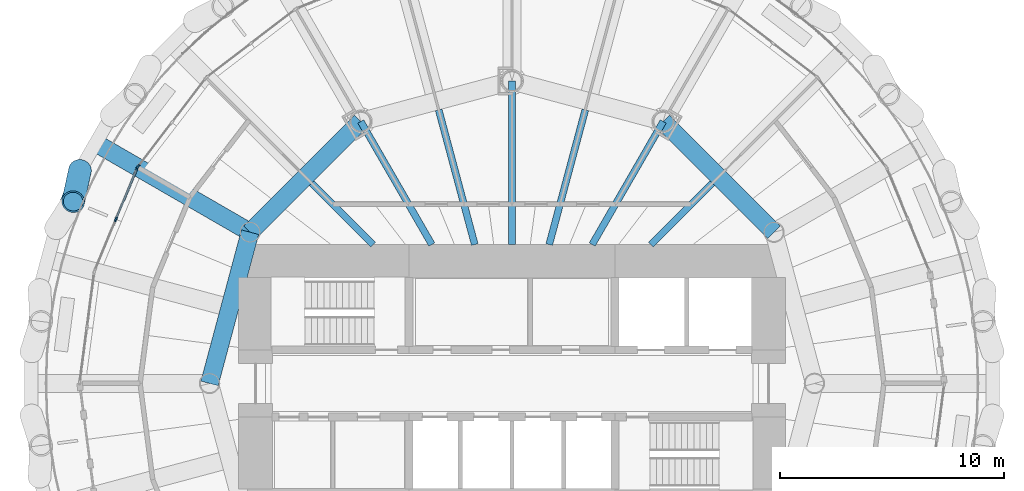
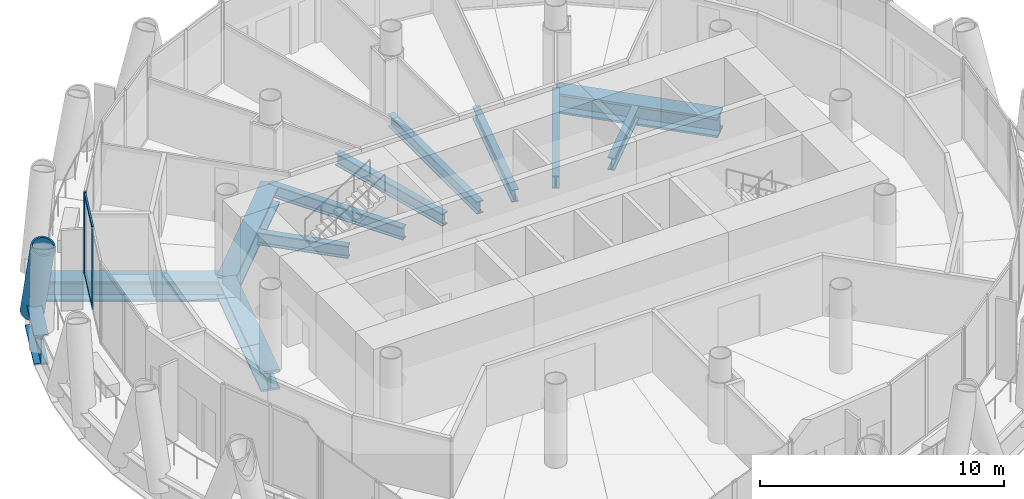
# One storey, part 4 of 15: 12 beams, 6 members, 2 elements without a shape of their own.
"""IFC4 building model written with IfcOpenShell, lengths in metres."""

from ifc_helpers import new_model, si_unit, direction, frame, origin, origin_2d, place, context, subcontext, project, spatial, rectangle, hollow_circle, i_section, extrude, material, material_profile, profile_set, type_object, element, aggregate, save


model = new_model("IFC4")

# Units and contexts
model_context = context("Model", 3, precision=1e-05, world=origin(), true_north=direction((0.0, 1.0)))
body_context = subcontext(model_context, "Body", "Model", "MODEL_VIEW")
ifc_project = project(units=[si_unit("LENGTHUNIT", "METRE"), si_unit("AREAUNIT", "SQUARE_METRE"), si_unit("VOLUMEUNIT", "CUBIC_METRE"), si_unit("PLANEANGLEUNIT", "RADIAN"), si_unit("MASSUNIT", "GRAM", prefix="KILO")], contexts=[model_context])

# Site, building, storey
site_placement = place(None, origin())
site = spatial("IfcSite", under=ifc_project, at=site_placement, CompositionType="ELEMENT")
building_placement = place(site_placement, origin())
building = spatial("IfcBuilding", under=site, at=building_placement, Name="Qaws Media Tower", CompositionType="ELEMENT")
storey_placement = place(building_placement, frame((0.0, 0.0, 265.39990234375)))
storey = spatial("IfcBuildingStorey", under=building, at=storey_placement, Name="L61", CompositionType="ELEMENT", Elevation=265.39990234375)

# Curtain wall, member
ifc_material_1 = material(Name="Aluminium and clear glass", Category="aluminium")
curtain_wall_type = type_object("IfcCurtainWallType", Name="Unitised curtain wall CW-D", PredefinedType="NOTDEFINED", material=ifc_material_1)
curtain_wall_1_placement = place(storey_placement, origin())
curtain_wall_1 = element("IfcCurtainWall", 1, at=curtain_wall_1_placement, inside=storey, type_object=curtain_wall_type, Name="CWD curtain wall L61-10", PredefinedType="NOTDEFINED")
ifc_material_2 = material(Name="Aluminium mullion", Category="aluminium")
ifc_material_profile_1 = material_profile(ifc_material_2, rectangle(XDim=0.080078125, YDim=0.199951171875, at=origin_2d()), Name="80x200")
ifc_profile_set_1 = profile_set([ifc_material_profile_1], Name="Aluminium mullion")
member_type_1 = type_object("IfcMemberType", Name="Curtain wall mullion 80x200", PredefinedType="MULLION", material=ifc_profile_set_1)
member_1_placement = place(storey_placement, frame((43.31005859375, 59.681640625, 0.0), z_axis=(0.0, 0.0, 1.0), x_axis=(0.79335338924, -0.608761365217, 0.0)))
member_1 = element("IfcMember", 2, at=member_1_placement, type_object=member_type_1, Name="CWD mullion 3", PredefinedType="MULLION", context=body_context, shape_type="SweptSolid", body=[
    extrude(rectangle(XDim=0.080078125, YDim=0.199951171875, at=origin_2d()), origin(), (0.0, 0.0, 1.0), 4.0400390625),
])
aggregate(curtain_wall_1, [member_1])

# Curtain wall, members
curtain_wall_2_placement = place(storey_placement, origin())
curtain_wall_2 = element("IfcCurtainWall", 3, at=curtain_wall_2_placement, inside=storey, type_object=curtain_wall_type, Name="CWD curtain wall L61-11", PredefinedType="NOTDEFINED")
member_2_placement = place(storey_placement, frame((43.2705078125, 59.613037109375, 0.0), z_axis=(0.0, 0.0, 1.0), x_axis=(0.923879530855, -0.382683436364, 0.0)))
member_2 = element("IfcMember", 4, at=member_2_placement, type_object=member_type_1, Name="CWD mullion 1", PredefinedType="MULLION", context=body_context, shape_type="SweptSolid", body=[
    extrude(rectangle(XDim=0.080078125, YDim=0.199951171875, at=origin_2d()), origin(), (0.0, 0.0, 1.0), 4.0400390625),
])
member_3_placement = place(storey_placement, frame((42.32177734375, 57.322509765625, 0.0), z_axis=(0.0, 0.0, 1.0), x_axis=(0.923879530855, -0.382683436364, 0.0)))
member_3 = element("IfcMember", 5, at=member_3_placement, type_object=member_type_1, Name="CWD mullion 2", PredefinedType="MULLION", context=body_context, shape_type="SweptSolid", body=[
    extrude(rectangle(XDim=0.080078125, YDim=0.199951171875, at=origin_2d()), origin(), (0.0, 0.0, 1.0), 4.0400390625),
])
ifc_material_3 = material(Name="Aluminium transom", Category="aluminium")
ifc_material_profile_2 = material_profile(ifc_material_3, rectangle(XDim=0.080078125, YDim=0.159912109375, at=origin_2d()), Name="80x160")
ifc_profile_set_2 = profile_set([ifc_material_profile_2], Name="Aluminium transom")
member_type_2 = type_object("IfcMemberType", Name="Curtain wall transom 80x160", PredefinedType="USERDEFINED", material=ifc_profile_set_2)
member_4_placement = place(storey_placement, frame((43.255126953125, 59.576171875, 0.0400390625), z_axis=(-0.382714272026, -0.923866757703, 0.0), x_axis=(0.923866757703, -0.382714272026, 0.0)))
member_4 = element("IfcMember", 6, at=member_4_placement, type_object=member_type_2, Name="CWD transom 1.1", ObjectType="TRANSOM", PredefinedType="USERDEFINED", context=body_context, shape_type="SweptSolid", body=[
    extrude(rectangle(XDim=0.080078125, YDim=0.159912109375, at=origin_2d()), origin(), (0.0, 0.0, 1.0), 2.399169921875),
])
member_5_placement = place(storey_placement, frame((43.255126953125, 59.576171875, 4.0), z_axis=(-0.382714272026, -0.923866757703, 0.0), x_axis=(0.923866757703, -0.382714272026, 0.0)))
member_5 = element("IfcMember", 7, at=member_5_placement, type_object=member_type_2, Name="CWD transom 1.2", ObjectType="TRANSOM", PredefinedType="USERDEFINED", context=body_context, shape_type="SweptSolid", body=[
    extrude(rectangle(XDim=0.080078125, YDim=0.159912109375, at=origin_2d()), origin(), (0.0, 0.0, 1.0), 2.399169921875),
])
aggregate(curtain_wall_2, [member_2, member_3, member_4, member_5])

# Member
ifc_material_4 = material(Name="Steel S460", Category="steel")
ifc_material_profile_3 = material_profile(ifc_material_4, hollow_circle(Radius=0.508056640625, WallThickness=0.070068359375, at=origin_2d()), Name="CHS 1016x70")
ifc_profile_set_3 = profile_set([ifc_material_profile_3], Name="Steel S460")
member_type_3 = type_object("IfcMemberType", Name="Diagrid member CHS 1016x70", PredefinedType="USERDEFINED", material=ifc_profile_set_3)
member_6_placement = place(storey_placement, frame((40.71728515625, 59.50927734375, -0.909912109375), z_axis=(-0.068403482981, -0.314777089822, 0.946697600736), x_axis=(0.977193321259, -0.212351625581, 0.0)))
element("IfcMember", 8, at=member_6_placement, inside=storey, type_object=member_type_3, Name="DG3 diagrid L61 A11", ObjectType="DIAGRID", PredefinedType="USERDEFINED", context=body_context, shape_type="SweptSolid", body=[
    extrude(hollow_circle(Radius=0.508056640625, WallThickness=0.070068359375, at=origin_2d()), origin(), (0.0, 0.0, 1.0), 4.4365234375),
])

# Beams
ifc_material_5 = material(Name="Steel S460", Category="steel")
ifc_material_profile_4 = material_profile(ifc_material_5, i_section(OverallWidth=0.60009765625, OverallDepth=1.5, WebThickness=0.030029296875, FlangeThickness=0.080078125, at=origin_2d()), Name="PG 1500x600")
ifc_profile_set_4 = profile_set([ifc_material_profile_4], Name="Steel S460")
beam_type_1 = type_object("IfcBeamType", Name="Edge ring beam PG 1500x600", PredefinedType="BEAM", material=ifc_profile_set_4)
beam_1_placement = place(storey_placement, frame((40.71728515625, 59.50927734375, -0.909912109375), z_axis=(-0.382648241093, -0.923894108428, 0.0), x_axis=(0.923894108428, -0.382648241093, 0.0)))
element("IfcBeam", 9, at=beam_1_placement, inside=storey, type_object=beam_type_1, Name="RB5 edge ring beam L61-21", PredefinedType="BEAM", context=body_context, shape_type="SweptSolid", body=[
    extrude(i_section(OverallWidth=0.60009765625, OverallDepth=1.5, WebThickness=0.030029296875, FlangeThickness=0.080078125, at=origin_2d()), origin(), (0.0, 0.0, 1.0), 2.8125),
])
ifc_material_6 = material(Name="Steel S460", Category="steel")
ifc_material_profile_5 = material_profile(ifc_material_6, i_section(OverallWidth=0.800048828125, OverallDepth=1.0, WebThickness=0.0400390625, FlangeThickness=0.10009765625, at=origin_2d()), Name="PG 1000x800")
ifc_profile_set_5 = profile_set([ifc_material_profile_5], Name="Steel S460")
beam_type_2 = type_object("IfcBeamType", Name="Inner ring girder PG 1000x800", PredefinedType="BEAM", material=ifc_profile_set_5)
for number, where, z_axis, x_axis, name in (
    (10, (71.69140625, 56.75, -0.659912109375), (-0.707106781187, 0.707106781187, 0.0), (-0.707106781187, -0.707106781187, 0.0), "B3 inner ring beam L61 I02-I03"),
    (11, (53.25, 61.69140625, -0.659912109375), (-0.707106781187, -0.707106781187, 0.0), (0.707106781187, -0.707106781187, 0.0), "B3 inner ring beam L61 I05-I06"),
):
    element("IfcBeam", number, at=place(storey_placement, frame(where, z_axis=z_axis, x_axis=x_axis)), inside=storey, type_object=beam_type_2, Name=name, PredefinedType="BEAM", context=body_context, shape_type="SweptSolid", body=[
        extrude(i_section(OverallWidth=0.800048828125, OverallDepth=1.0, WebThickness=0.0400390625, FlangeThickness=0.10009765625, at=origin_2d()), origin(), (0.0, 0.0, 1.0), 6.98828125),
    ])
beam_2_placement = place(storey_placement, frame((48.30859375, 56.75, -0.659912109375), z_axis=(-0.258810593767, -0.965928090778, 0.0), x_axis=(0.965928090778, -0.258810593767, 0.0)))
element("IfcBeam", 12, at=beam_2_placement, inside=storey, type_object=beam_type_2, Name="B3 inner ring beam L61 I06-I07", PredefinedType="BEAM", context=body_context, shape_type="SweptSolid", body=[
    extrude(i_section(OverallWidth=0.800048828125, OverallDepth=1.0, WebThickness=0.0400390625, FlangeThickness=0.10009765625, at=origin_2d()), origin(), (0.0, 0.0, 1.0), 6.988037109375),
])
ifc_material_7 = material(Name="Steel S355", Category="steel")
ifc_material_profile_6 = material_profile(ifc_material_7, i_section(OverallWidth=0.304931640625, OverallDepth=0.6201171875, WebThickness=0.02099609375, FlangeThickness=0.0400390625, FilletRadius=0.027099609375, at=origin_2d()), Name="HE 600 M")
ifc_profile_set_6 = profile_set([ifc_material_profile_6], Name="Steel S355")
beam_type_3 = type_object("IfcBeamType", Name="Radial beam HE 600 M, core side", PredefinedType="BEAM", material=ifc_profile_set_6)
beam_3_placement = place(storey_placement, frame((66.199951171875, 56.199951171875, -0.469970703125), z_axis=(0.707106781187, 0.707106781187, 0.0), x_axis=(-0.707106781187, 0.707106781187, 0.0)))
element("IfcBeam", 13, at=beam_3_placement, inside=storey, type_object=beam_type_3, Name="B2 radial beam L61 04", PredefinedType="BEAM", context=body_context, shape_type="SweptSolid", body=[
    extrude(i_section(OverallWidth=0.304931640625, OverallDepth=0.6201171875, WebThickness=0.02099609375, FlangeThickness=0.0400390625, FilletRadius=0.027099609375, at=origin_2d()), origin(), (0.0, 0.0, 1.0), 3.871826171875),
])
beam_4_placement = place(storey_placement, frame((63.57958984375, 56.199951171875, -0.469970703125), z_axis=(0.499990193304, 0.866031065609, 0.0), x_axis=(-0.866031065609, 0.499990193304, 0.0)))
element("IfcBeam", 14, at=beam_4_placement, inside=storey, type_object=beam_type_3, Name="B2 radial beam L61 05", PredefinedType="BEAM", context=body_context, shape_type="SweptSolid", body=[
    extrude(i_section(OverallWidth=0.304931640625, OverallDepth=0.6201171875, WebThickness=0.02099609375, FlangeThickness=0.0400390625, FilletRadius=0.027099609375, at=origin_2d()), origin(), (0.0, 0.0, 1.0), 6.341064453125),
])
beam_5_placement = place(storey_placement, frame((61.661376953125, 56.199951171875, -0.469970703125), z_axis=(0.258808008719, 0.965928783412, 0.0), x_axis=(-0.965928783412, 0.258808008719, 0.0)))
element("IfcBeam", 15, at=beam_5_placement, inside=storey, type_object=beam_type_3, Name="B2 radial beam L61 06", PredefinedType="BEAM", context=body_context, shape_type="SweptSolid", body=[
    extrude(i_section(OverallWidth=0.304931640625, OverallDepth=0.6201171875, WebThickness=0.02099609375, FlangeThickness=0.0400390625, FilletRadius=0.027099609375, at=origin_2d()), origin(), (0.0, 0.0, 1.0), 6.22119140625),
])
beam_6_placement = place(storey_placement, frame((60.0, 56.199951171875, -0.469970703125), z_axis=(0.0, 1.0, 0.0), x_axis=(-1.0, 0.0, 0.0)))
element("IfcBeam", 16, at=beam_6_placement, inside=storey, type_object=beam_type_3, Name="B2 radial beam L61 07", PredefinedType="BEAM", context=body_context, shape_type="SweptSolid", body=[
    extrude(i_section(OverallWidth=0.304931640625, OverallDepth=0.6201171875, WebThickness=0.02099609375, FlangeThickness=0.0400390625, FilletRadius=0.027099609375, at=origin_2d()), origin(), (0.0, 0.0, 1.0), 7.300048828125),
])
beam_7_placement = place(storey_placement, frame((58.338623046875, 56.199951171875, -0.469970703125), z_axis=(-0.258808008719, 0.965928783412, 0.0), x_axis=(-0.965928783412, -0.258808008719, 0.0)))
element("IfcBeam", 17, at=beam_7_placement, inside=storey, type_object=beam_type_3, Name="B2 radial beam L61 08", PredefinedType="BEAM", context=body_context, shape_type="SweptSolid", body=[
    extrude(i_section(OverallWidth=0.304931640625, OverallDepth=0.6201171875, WebThickness=0.02099609375, FlangeThickness=0.0400390625, FilletRadius=0.027099609375, at=origin_2d()), origin(), (0.0, 0.0, 1.0), 6.22119140625),
])
beam_8_placement = place(storey_placement, frame((56.42041015625, 56.199951171875, -0.469970703125), z_axis=(-0.499990193304, 0.866031065609, 0.0), x_axis=(-0.866031065609, -0.499990193304, 0.0)))
element("IfcBeam", 18, at=beam_8_placement, inside=storey, type_object=beam_type_3, Name="B2 radial beam L61 09", PredefinedType="BEAM", context=body_context, shape_type="SweptSolid", body=[
    extrude(i_section(OverallWidth=0.304931640625, OverallDepth=0.6201171875, WebThickness=0.02099609375, FlangeThickness=0.0400390625, FilletRadius=0.027099609375, at=origin_2d()), origin(), (0.0, 0.0, 1.0), 6.341064453125),
])
beam_9_placement = place(storey_placement, frame((53.800048828125, 56.199951171875, -0.469970703125), z_axis=(-0.707106781187, 0.707106781187, 0.0), x_axis=(-0.707106781187, -0.707106781187, 0.0)))
element("IfcBeam", 19, at=beam_9_placement, inside=storey, type_object=beam_type_3, Name="B2 radial beam L61 10", PredefinedType="BEAM", context=body_context, shape_type="SweptSolid", body=[
    extrude(i_section(OverallWidth=0.304931640625, OverallDepth=0.6201171875, WebThickness=0.02099609375, FlangeThickness=0.0400390625, FilletRadius=0.027099609375, at=origin_2d()), origin(), (0.0, 0.0, 1.0), 3.871826171875),
])
ifc_material_8 = material(Name="Steel S460", Category="steel")
ifc_material_profile_7 = material_profile(ifc_material_8, i_section(OverallWidth=0.800048828125, OverallDepth=1.0, WebThickness=0.0400390625, FlangeThickness=0.10009765625, at=origin_2d()), Name="PG 1000x800")
ifc_profile_set_7 = profile_set([ifc_material_profile_7], Name="Steel S460")
beam_type_4 = type_object("IfcBeamType", Name="Radial girder PG 1000x800", PredefinedType="BEAM", material=ifc_profile_set_7)
beam_10_placement = place(storey_placement, frame((48.30859375, 56.75, -0.659912109375), z_axis=(-0.866016903906, 0.500014721933, 0.0), x_axis=(-0.500014721933, -0.866016903906, 0.0)))
element("IfcBeam", 20, at=beam_10_placement, inside=storey, type_object=beam_type_4, Name="B1 radial beam L61 11", PredefinedType="BEAM", context=body_context, shape_type="SweptSolid", body=[
    extrude(i_section(OverallWidth=0.800048828125, OverallDepth=1.0, WebThickness=0.0400390625, FlangeThickness=0.10009765625, at=origin_2d()), origin(), (0.0, 0.0, 1.0), 7.953857421875),
])

save(model, "model.ifc")
